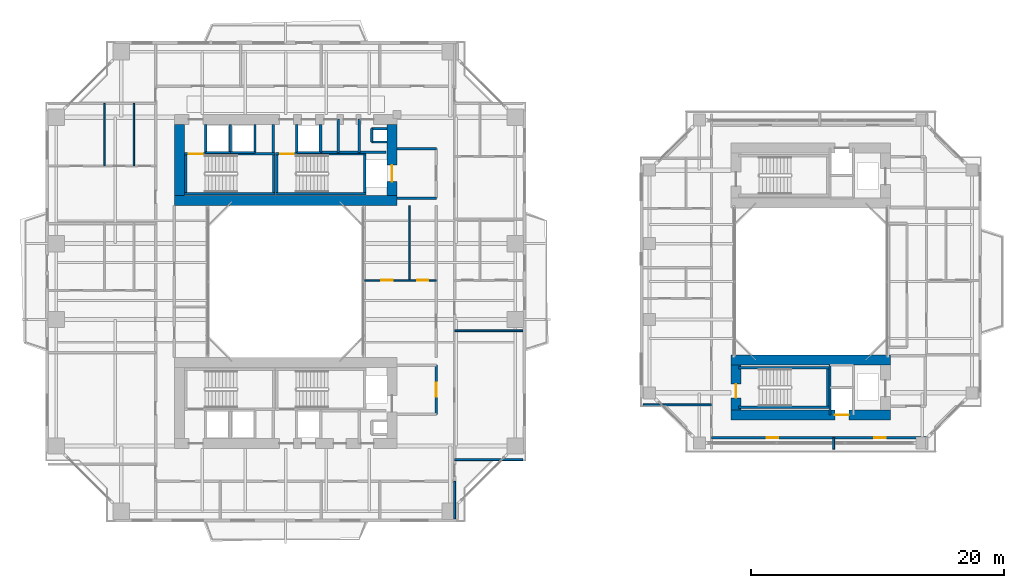
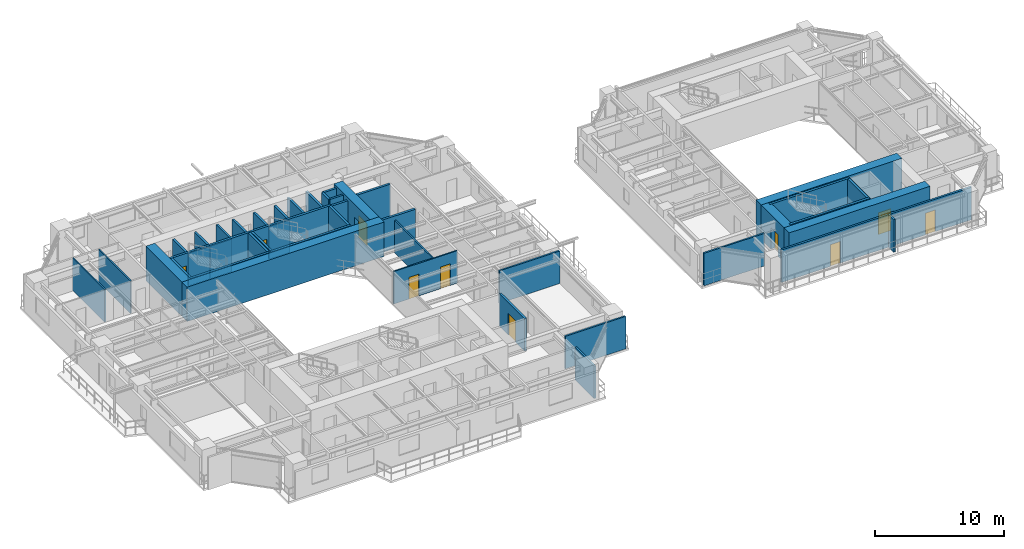
# One storey, part 14 of 23: 46 walls, 10 doors, 10 openings.
"""IFC4 building model written with IfcOpenShell, lengths in metres."""

from ifc_helpers import new_model, si_unit, direction, frame, frame_2d, origin, place, context, subcontext, project, spatial, rectangle, extrude, source, transform, mapped, material, layer, layer_set, type_object, element, fill, save


model = new_model("IFC4")

# Units and contexts
model_context = context("Model", 3, precision=1e-05, world=origin(), true_north=direction((0.0, 1.0)))
body_context = subcontext(model_context, "Body", "Model", "MODEL_VIEW")
ifc_project = project(units=[si_unit("LENGTHUNIT", "METRE"), si_unit("AREAUNIT", "SQUARE_METRE"), si_unit("VOLUMEUNIT", "CUBIC_METRE"), si_unit("PLANEANGLEUNIT", "RADIAN"), si_unit("MASSUNIT", "GRAM", prefix="KILO"), si_unit("THERMODYNAMICTEMPERATUREUNIT", "KELVIN"), si_unit("POWERUNIT", "WATT")], contexts=[model_context])

# Site, building, storey
site_placement = place(None, origin())
site = spatial("IfcSite", under=ifc_project, at=site_placement, CompositionType="ELEMENT")
building_placement = place(site_placement, origin())
building = spatial("IfcBuilding", under=site, at=building_placement, Name="Qiaomeng Ring Towers", CompositionType="ELEMENT")
storey_placement = place(building_placement, frame((0.0, 0.0, 39.25)))
storey = spatial("IfcBuildingStorey", under=building, at=storey_placement, Name="L10", CompositionType="ELEMENT", Elevation=39.25)

# Walls
ifc_material_1 = material(Name="Autoclaved aerated concrete block", Category="concrete")
ifc_layer_1 = layer(ifc_material_1, 0.199951171875, Name="Autoclaved aerated concrete block")
ifc_layer_set_1 = layer_set([ifc_layer_1], Name="Autoclaved aerated concrete block")
wall_type_1 = type_object("IfcWallType", Name="ARC-WL-PW1", PredefinedType="PARTITIONING", material=ifc_layer_set_1)
for number, where, z_axis, x_axis, name in (
    (1, (27.800048828125, 29.60009765625, 0.0), (0.0, 0.0, 1.0), (1.0, 0.0, 0.0), "L10 Interior Wall PW1"),
    (2, (27.800048828125, 33.5, 0.0), (0.0, 0.0, 1.0), (1.0, 0.0, 0.0), "L10 Interior Wall PW1"),
):
    element("IfcWall", number, at=place(storey_placement, frame(where, z_axis=z_axis, x_axis=x_axis)), inside=storey, type_object=wall_type_1, Name=name, PredefinedType="PARTITIONING", context=body_context, shape_type="SweptSolid", body=[
        extrude(rectangle(XDim=3.099853515625, YDim=0.199951171875, at=frame_2d((1.5498046875, 0.0))), origin(), (0.0, 0.0, 1.0), 3.070068359375),
    ])

# Wall, opening, door
wall_1_placement = place(storey_placement, frame((30.89990234375, 12.5, 0.0), z_axis=(0.0, 0.0, 1.0), x_axis=(0.0, 1.0, 0.0)))
wall_1 = element("IfcWall", 3, at=wall_1_placement, inside=storey, type_object=wall_type_1, Name="L10 Interior Wall PW1", PredefinedType="PARTITIONING", context=body_context, shape_type="SweptSolid", body=[
    extrude(rectangle(XDim=3.89990234375, YDim=0.199951171875, at=frame_2d((1.949951171875, 0.0))), origin(), (0.0, 0.0, 1.0), 3.070068359375),
])
opening_1_placement = place(wall_1_placement, frame((1.39990234375, 0.0, 0.0)))
opening_1 = element("IfcOpeningElement", 4, at=opening_1_placement, cuts=wall_1, Name="Opening FD3", PredefinedType="OPENING", context=body_context, shape_type="SweptSolid", body=[
    extrude(rectangle(XDim=1.10009765625, YDim=2.050048828125, at=frame_2d((0.550048828125, 1.02490234375))), frame((0.0, 0.10986328125, 0.0), z_axis=(0.0, -1.0, 0.0), x_axis=(1.0, 0.0, 0.0)), (0.0, 0.0, 1.0), 0.219970703125),
])
ifc_material_2 = material(Name="Galvanised steel", Category="steel")
door_type_1 = type_object("IfcDoorType", Name="ARC-DR-FD3", OperationType="NOTDEFINED", PredefinedType="DOOR", material=ifc_material_2)
shared_shape_1 = source(origin(), body_context, "Body", "SweptSolid", [
    extrude(rectangle(XDim=1.10009765625, YDim=2.050048828125, at=frame_2d((0.550048828125, 1.02490234375))), frame((0.0, 0.02490234375, 0.0), z_axis=(0.0, -1.0, 0.0), x_axis=(1.0, 0.0, 0.0)), (0.0, 0.0, 1.0), 0.050048828125),
])
door_1_placement = place(opening_1_placement, origin())
door_1 = element("IfcDoor", 5, at=door_1_placement, inside=storey, type_object=door_type_1, Name="L10 South FF Lobby Door", OperationType="SINGLE_SWING_RIGHT", OverallHeight=2.050048828125, OverallWidth=1.10009765625, PredefinedType="DOOR", context=body_context, shape_type="MappedRepresentation", body=[
    mapped(shared_shape_1, transform((0.0, 0.0, 0.0), x_axis=(1.0, 0.0, 0.0), y_axis=(0.0, 1.0, 0.0), z_axis=(0.0, 0.0, 1.0), scale=1.0)),
])
fill(opening_1, door_1)

# Walls
for number, where, z_axis, x_axis, name in (
    (6, (12.679931640625, 33.18994140625, 0.0), (0.0, 0.0, 1.0), (0.0, 1.0, 0.0), "L10 Interior Wall PW1"),
    (7, (18.0, 33.18994140625, 0.0), (0.0, 0.0, 1.0), (0.0, 1.0, 0.0), "L10 Interior Wall PW1"),
    (8, (19.8798828125, 33.18994140625, 0.0), (0.0, 0.0, 1.0), (0.0, 1.0, 0.0), "L10 Interior Wall PW1"),
):
    element("IfcWall", number, at=place(storey_placement, frame(where, z_axis=z_axis, x_axis=x_axis)), inside=storey, type_object=wall_type_1, Name=name, PredefinedType="PARTITIONING", context=body_context, shape_type="SweptSolid", body=[
        extrude(rectangle(XDim=2.2099609375, YDim=0.199951171875, at=frame_2d((1.10498046875, 0.0))), origin(), (0.0, 0.0, 1.0), 3.070068359375),
    ])
wall_2_placement = place(storey_placement, frame((24.820068359375, 33.199951171875, 0.0), z_axis=(0.0, 0.0, 1.0), x_axis=(0.0, 1.0, 0.0)))
element("IfcWall", 9, at=wall_2_placement, inside=storey, type_object=wall_type_1, Name="L10 Interior Wall PW1", PredefinedType="PARTITIONING", context=body_context, shape_type="SweptSolid", body=[
    extrude(rectangle(XDim=2.650146484375, YDim=0.199951171875, at=frame_2d((1.3251953125, 0.0))), origin(), (0.0, 0.0, 1.0), 3.070068359375),
])
wall_3_placement = place(storey_placement, frame((21.75, 33.199951171875, 0.0), z_axis=(0.0, 0.0, 1.0), x_axis=(0.0, 1.0, 0.0)))
element("IfcWall", 10, at=wall_3_placement, inside=storey, type_object=wall_type_1, Name="L10 Interior Wall PW1", PredefinedType="PARTITIONING", context=body_context, shape_type="SweptSolid", body=[
    extrude(rectangle(XDim=2.199951171875, YDim=0.199951171875, at=frame_2d((1.10009765625, 0.0))), origin(), (0.0, 0.0, 1.0), 3.070068359375),
])
wall_4_placement = place(storey_placement, frame((23.169921875, 33.199951171875, 0.0), z_axis=(0.0, 0.0, 1.0), x_axis=(0.0, 1.0, 0.0)))
element("IfcWall", 11, at=wall_4_placement, inside=storey, type_object=wall_type_1, Name="L10 Interior Wall PW1", PredefinedType="PARTITIONING", context=body_context, shape_type="SweptSolid", body=[
    extrude(rectangle(XDim=2.650146484375, YDim=0.199951171875, at=frame_2d((1.3251953125, 0.0))), origin(), (0.0, 0.0, 1.0), 3.070068359375),
])
wall_5_placement = place(storey_placement, frame((21.75, 33.199951171875, 0.0), z_axis=(0.0, 0.0, 1.0), x_axis=(1.0, 0.0, 0.0)))
element("IfcWall", 12, at=wall_5_placement, inside=storey, type_object=wall_type_1, Name="L10 Interior Wall PW1", PredefinedType="PARTITIONING", context=body_context, shape_type="SweptSolid", body=[
    extrude(rectangle(XDim=5.169921875, YDim=0.199951171875, at=frame_2d((2.5849609375, 0.0))), origin(), (0.0, 0.0, 1.0), 3.070068359375),
])

# Wall, openings, doors
ifc_layer_2 = layer(ifc_material_1, 0.179931640625, Name="Autoclaved aerated concrete block")
ifc_layer_set_2 = layer_set([ifc_layer_2], Name="Autoclaved aerated concrete block")
wall_type_2 = type_object("IfcWallType", Name="ARC-WL-PW2", PredefinedType="PARTITIONING", material=ifc_layer_set_2)
wall_6_placement = place(storey_placement, frame((52.64990234375, 10.64990234375, 0.0), z_axis=(0.0, 0.0, 1.0), x_axis=(1.0, 0.0, 0.0)))
wall_6 = element("IfcWall", 13, at=wall_6_placement, inside=storey, type_object=wall_type_2, Name="L10 Interior Wall PW2", PredefinedType="PARTITIONING", context=body_context, shape_type="SweptSolid", body=[
    extrude(rectangle(XDim=17.0, YDim=0.179931640625, at=frame_2d((8.5, 0.0))), origin(), (0.0, 0.0, 1.0), 3.070068359375),
])
opening_2_placement = place(wall_6_placement, frame((4.375, 0.0, 0.0)))
opening_2 = element("IfcOpeningElement", 14, at=opening_2_placement, cuts=wall_6, Name="Opening ID1", PredefinedType="OPENING", context=body_context, shape_type="SweptSolid", body=[
    extrude(rectangle(XDim=0.89990234375, YDim=2.050048828125, at=frame_2d((0.449951171875, 1.02490234375))), frame((0.0, 0.099853515625, 0.0), z_axis=(0.0, -1.0, 0.0), x_axis=(1.0, 0.0, 0.0)), (0.0, 0.0, 1.0), 0.199951171875),
])
opening_3_placement = place(wall_6_placement, frame((12.875, 0.0, 0.0)))
opening_3 = element("IfcOpeningElement", 15, at=opening_3_placement, cuts=wall_6, Name="Opening ID1", PredefinedType="OPENING", context=body_context, shape_type="SweptSolid", body=[
    extrude(rectangle(XDim=0.89990234375, YDim=2.050048828125, at=frame_2d((0.449951171875, 1.02490234375))), frame((0.0, 0.099853515625, 0.0), z_axis=(0.0, -1.0, 0.0), x_axis=(1.0, 0.0, 0.0)), (0.0, 0.0, 1.0), 0.199951171875),
])
ifc_material_3 = material(Name="Engineered oak timber", Category="wood")
door_type_2 = type_object("IfcDoorType", Name="ARC-DR-ID1", OperationType="NOTDEFINED", PredefinedType="DOOR", material=ifc_material_3)
shared_shape_2 = source(origin(), body_context, "Body", "SweptSolid", [
    extrude(rectangle(XDim=0.89990234375, YDim=2.050048828125, at=frame_2d((0.449951171875, 1.02490234375))), frame((0.0, 0.02490234375, 0.0), z_axis=(0.0, -1.0, 0.0), x_axis=(1.0, 0.0, 0.0)), (0.0, 0.0, 1.0), 0.050048828125),
])
door_2_placement = place(opening_2_placement, origin())
door_2 = element("IfcDoor", 16, at=door_2_placement, inside=storey, type_object=door_type_2, Name="L10 Door ID1", OperationType="SINGLE_SWING_LEFT", OverallHeight=2.050048828125, OverallWidth=0.89990234375, PredefinedType="DOOR", context=body_context, shape_type="MappedRepresentation", body=[
    mapped(shared_shape_2, transform((0.0, 0.0, 0.0), x_axis=(1.0, 0.0, 0.0), y_axis=(0.0, 1.0, 0.0), z_axis=(0.0, 0.0, 1.0), scale=1.0)),
])
fill(opening_2, door_2)
door_3_placement = place(opening_3_placement, origin())
door_3 = element("IfcDoor", 17, at=door_3_placement, inside=storey, type_object=door_type_2, Name="L10 Door ID1", OperationType="SINGLE_SWING_RIGHT", OverallHeight=2.050048828125, OverallWidth=0.89990234375, PredefinedType="DOOR", context=body_context, shape_type="MappedRepresentation", body=[
    mapped(shared_shape_2, transform((0.0, 0.0, 0.0), x_axis=(1.0, 0.0, 0.0), y_axis=(0.0, 1.0, 0.0), z_axis=(0.0, 0.0, 1.0), scale=1.0)),
])
fill(opening_3, door_3)

# Walls
ifc_material_4 = material(Name="Gypsum fireboard steel-stud partition", Category="steel")
ifc_layer_3 = layer(ifc_material_4, 0.14990234375, Name="Gypsum fireboard steel-stud partition")
ifc_layer_set_3 = layer_set([ifc_layer_3], Name="Gypsum fireboard steel-stud partition")
wall_type_3 = type_object("IfcWallType", Name="ARC-WL-PW3", PredefinedType="PARTITIONING", material=ifc_layer_set_3)
wall_7_placement = place(storey_placement, frame((32.35009765625, 4.25, 0.0), z_axis=(0.0, 0.0, 1.0), x_axis=(0.0, 1.0, 0.0)))
element("IfcWall", 18, at=wall_7_placement, inside=storey, type_object=wall_type_3, Name="L10 Interior Wall PW3", PredefinedType="PARTITIONING", context=body_context, shape_type="SweptSolid", body=[
    extrude(rectangle(XDim=2.9599609375, YDim=0.14990234375, at=frame_2d((1.47998046875, 0.0))), origin(), (0.0, 0.0, 1.0), 3.070068359375),
])
for number, where, z_axis, x_axis, name in (
    (19, (32.35009765625, 8.919921875, 0.0), (0.0, 0.0, 1.0), (1.0, 0.0, 0.0), "L10 Interior Wall PW3"),
    (20, (32.35009765625, 19.110107421875, 0.0), (0.0, 0.0, 1.0), (1.0, 0.0, 0.0), "L10 Interior Wall PW3"),
    (21, (47.25, 13.25, 0.0), (0.0, 0.0, 1.0), (1.0, 0.0, 0.0), "L10 Interior Wall PW3"),
):
    element("IfcWall", number, at=place(storey_placement, frame(where, z_axis=z_axis, x_axis=x_axis)), inside=storey, type_object=wall_type_3, Name=name, PredefinedType="PARTITIONING", context=body_context, shape_type="SweptSolid", body=[
        extrude(rectangle(XDim=5.39990234375, YDim=0.14990234375, at=frame_2d((2.699951171875, 0.0))), origin(), (0.0, 0.0, 1.0), 3.070068359375),
    ])
wall_8_placement = place(storey_placement, frame((62.300048828125, 9.75, 0.0), z_axis=(0.0, 0.0, 1.0), x_axis=(0.0, 1.0, 0.0)))
element("IfcWall", 22, at=wall_8_placement, inside=storey, type_object=wall_type_3, Name="L10 Interior Wall PW3", PredefinedType="PARTITIONING", context=body_context, shape_type="SweptSolid", body=[
    extrude(rectangle(XDim=0.89990234375, YDim=0.14990234375, at=frame_2d((0.449951171875, 0.0))), origin(), (0.0, 0.0, 1.0), 3.070068359375),
])
ifc_material_5 = material(Name="Moisture-resistant gypsum steel-stud partition", Category="steel")
ifc_layer_4 = layer(ifc_material_5, 0.1201171875, Name="Moisture-resistant gypsum steel-stud partition")
ifc_layer_set_4 = layer_set([ifc_layer_4], Name="Moisture-resistant gypsum steel-stud partition")
wall_type_4 = type_object("IfcWallType", Name="ARC-WL-PW4", PredefinedType="PLUMBINGWALL", material=ifc_layer_set_4)
for number, where, z_axis, x_axis, name in (
    (23, (4.679931640625, 32.139892578125, 0.0), (0.0, 0.0, 1.0), (0.0, 1.0, 0.0), "L10 Interior Wall PW4"),
    (24, (7.0, 32.139892578125, 0.0), (0.0, 0.0, 1.0), (0.0, 1.0, 0.0), "L10 Interior Wall PW4"),
):
    element("IfcWall", number, at=place(storey_placement, frame(where, z_axis=z_axis, x_axis=x_axis)), inside=storey, type_object=wall_type_4, Name=name, PredefinedType="PLUMBINGWALL", context=body_context, shape_type="SweptSolid", body=[
        extrude(rectangle(XDim=4.940185546875, YDim=0.1201171875, at=frame_2d((2.47021484375, 0.0))), origin(), (0.0, 0.0, 1.0), 3.070068359375),
    ])

# Wall, openings, doors
wall_9_placement = place(storey_placement, frame((25.219970703125, 23.10009765625, 0.0), z_axis=(0.0, 0.0, 1.0), x_axis=(1.0, 0.0, 0.0)))
wall_9 = element("IfcWall", 25, at=wall_9_placement, inside=storey, type_object=wall_type_4, Name="L10 Interior Wall PW4", PredefinedType="PLUMBINGWALL", context=body_context, shape_type="SweptSolid", body=[
    extrude(rectangle(XDim=5.679931640625, YDim=0.1201171875, at=frame_2d((2.83984375, 0.0))), origin(), (0.0, 0.0, 1.0), 3.070068359375),
])
opening_4_placement = place(wall_9_placement, frame((1.35009765625, 0.0, 0.0)))
opening_4 = element("IfcOpeningElement", 26, at=opening_4_placement, cuts=wall_9, Name="Opening ID1", PredefinedType="OPENING", context=body_context, shape_type="SweptSolid", body=[
    extrude(rectangle(XDim=0.89990234375, YDim=2.050048828125, at=frame_2d((0.449951171875, 1.02490234375))), frame((0.0, 0.070068359375, 0.0), z_axis=(0.0, -1.0, 0.0), x_axis=(1.0, 0.0, 0.0)), (0.0, 0.0, 1.0), 0.14013671875),
])
opening_5_placement = place(wall_9_placement, frame((4.195068359375, 0.0, 0.0)))
opening_5 = element("IfcOpeningElement", 27, at=opening_5_placement, cuts=wall_9, Name="Opening ID2", PredefinedType="OPENING", context=body_context, shape_type="SweptSolid", body=[
    extrude(rectangle(XDim=0.85009765625, YDim=2.050048828125, at=frame_2d((0.425048828125, 1.02490234375))), frame((0.0, 0.070068359375, 0.0), z_axis=(0.0, -1.0, 0.0), x_axis=(1.0, 0.0, 0.0)), (0.0, 0.0, 1.0), 0.14013671875),
])
ifc_material_6 = material(Name="Moisture-resistant engineered timber", Category="wood")
door_type_3 = type_object("IfcDoorType", Name="ARC-DR-ID2", OperationType="NOTDEFINED", PredefinedType="DOOR", material=ifc_material_6)
shared_shape_3 = source(origin(), body_context, "Body", "SweptSolid", [
    extrude(rectangle(XDim=0.85009765625, YDim=2.050048828125, at=frame_2d((0.425048828125, 1.02490234375))), frame((0.0, 0.02490234375, 0.0), z_axis=(0.0, -1.0, 0.0), x_axis=(1.0, 0.0, 0.0)), (0.0, 0.0, 1.0), 0.050048828125),
])
door_4_placement = place(opening_5_placement, origin())
door_4 = element("IfcDoor", 28, at=door_4_placement, inside=storey, type_object=door_type_3, Name="L10 Door ID2", OperationType="SINGLE_SWING_LEFT", OverallHeight=2.050048828125, OverallWidth=0.85009765625, PredefinedType="DOOR", context=body_context, shape_type="MappedRepresentation", body=[
    mapped(shared_shape_3, transform((0.0, 0.0, 0.0), x_axis=(1.0, 0.0, 0.0), y_axis=(0.0, 1.0, 0.0), z_axis=(0.0, 0.0, 1.0), scale=1.0)),
])
fill(opening_5, door_4)
door_5_placement = place(opening_4_placement, origin())
door_5 = element("IfcDoor", 29, at=door_5_placement, inside=storey, type_object=door_type_2, Name="L10 Door ID1", OperationType="SINGLE_SWING_RIGHT", OverallHeight=2.050048828125, OverallWidth=0.89990234375, PredefinedType="DOOR", context=body_context, shape_type="MappedRepresentation", body=[
    mapped(shared_shape_2, transform((0.0, 0.0, 0.0), x_axis=(1.0, 0.0, 0.0), y_axis=(0.0, 1.0, 0.0), z_axis=(0.0, 0.0, 1.0), scale=1.0)),
])
fill(opening_4, door_5)

# Walls
wall_10_placement = place(storey_placement, frame((28.800048828125, 23.10009765625, 0.0), z_axis=(0.0, 0.0, 1.0), x_axis=(0.0, 1.0, 0.0)))
element("IfcWall", 30, at=wall_10_placement, inside=storey, type_object=wall_type_4, Name="L10 Interior Wall PW4", PredefinedType="PLUMBINGWALL", context=body_context, shape_type="SweptSolid", body=[
    extrude(rectangle(XDim=5.89990234375, YDim=0.1201171875, at=frame_2d((2.949951171875, 0.0))), origin(), (0.0, 0.0, 1.0), 3.070068359375),
])
ifc_material_7 = material(Name="Concrete C40", Category="concrete")
ifc_layer_5 = layer(ifc_material_7, 0.199951171875, Name="Concrete C40")
ifc_layer_set_5 = layer_set([ifc_layer_5], Name="Concrete C40")
wall_type_5 = type_object("IfcWallType", Name="STR-WL-STSHAFT", PredefinedType="SHEAR", material=ifc_layer_set_5)
wall_11_placement = place(storey_placement, frame((12.679931640625, 33.199951171875, 0.0), z_axis=(0.0, 0.0, 1.0), x_axis=(1.0, 0.0, 0.0)))
element("IfcWall", 31, at=wall_11_placement, inside=storey, type_object=wall_type_5, Name="L10 Lift LP5 Shaft Back Wall", PredefinedType="SHEAR", context=body_context, shape_type="SweptSolid", body=[
    extrude(rectangle(XDim=1.940185546875, YDim=0.179931640625, at=frame_2d((0.97021484375, 0.0))), origin(), (0.0, 0.0, 1.0), 3.070068359375),
])
wall_12_placement = place(storey_placement, frame((14.6201171875, 33.199951171875, 0.0), z_axis=(0.0, 0.0, 1.0), x_axis=(0.0, 1.0, 0.0)))
element("IfcWall", 32, at=wall_12_placement, inside=storey, type_object=wall_type_5, Name="L10 Lift LP5-LP3 Shaft Divider Wall", PredefinedType="SHEAR", context=body_context, shape_type="SweptSolid", body=[
    extrude(rectangle(XDim=2.199951171875, YDim=0.179931640625, at=frame_2d((1.10009765625, 0.0))), origin(), (0.0, 0.0, 1.0), 3.070068359375),
])
wall_13_placement = place(storey_placement, frame((25.800048828125, 34.02001953125, 0.0), z_axis=(0.0, 0.0, 1.0), x_axis=(0.0, 1.0, 0.0)))
element("IfcWall", 33, at=wall_13_placement, inside=storey, type_object=wall_type_5, Name="L10 Riser RSR1 West Shaft Wall N", PredefinedType="SHEAR", context=body_context, shape_type="SweptSolid", body=[
    extrude(rectangle(XDim=1.06005859375, YDim=0.179931640625, at=frame_2d((0.530029296875, 0.0))), origin(), (0.0, 0.0, 1.0), 3.070068359375),
])
for number, where, z_axis, x_axis, name in (
    (34, (25.800048828125, 35.080078125, 0.0), (0.0, 0.0, 1.0), (1.0, 0.0, 0.0), "L10 Riser RSR1 North Shaft Wall N"),
    (35, (25.800048828125, 34.02001953125, 0.0), (0.0, 0.0, 1.0), (1.0, 0.0, 0.0), "L10 Riser RSR1 South Shaft Wall N"),
):
    element("IfcWall", number, at=place(storey_placement, frame(where, z_axis=z_axis, x_axis=x_axis)), inside=storey, type_object=wall_type_5, Name=name, PredefinedType="SHEAR", context=body_context, shape_type="SweptSolid", body=[
        extrude(rectangle(XDim=1.199951171875, YDim=0.179931640625, at=frame_2d((0.60009765625, 0.0))), origin(), (0.0, 0.0, 1.0), 3.070068359375),
    ])
wall_14_placement = place(storey_placement, frame((14.6201171875, 33.199951171875, 0.0), z_axis=(0.0, 0.0, 1.0), x_axis=(1.0, 0.0, 0.0)))
element("IfcWall", 36, at=wall_14_placement, inside=storey, type_object=wall_type_5, Name="L10 Lift LP3 Shaft Back Wall", PredefinedType="SHEAR", context=body_context, shape_type="SweptSolid", body=[
    extrude(rectangle(XDim=1.9599609375, YDim=0.179931640625, at=frame_2d((0.97998046875, 0.0))), origin(), (0.0, 0.0, 1.0), 3.070068359375),
])
wall_15_placement = place(storey_placement, frame((16.580078125, 33.199951171875, 0.0), z_axis=(0.0, 0.0, 1.0), x_axis=(0.0, 1.0, 0.0)))
element("IfcWall", 37, at=wall_15_placement, inside=storey, type_object=wall_type_5, Name="L10 Lift LP3 East Shaft Wall", PredefinedType="SHEAR", context=body_context, shape_type="SweptSolid", body=[
    extrude(rectangle(XDim=2.199951171875, YDim=0.179931640625, at=frame_2d((1.10009765625, 0.0))), origin(), (0.0, 0.0, 1.0), 3.070068359375),
])
wall_16_placement = place(storey_placement, frame((19.8798828125, 33.199951171875, 0.0), z_axis=(0.0, 0.0, 1.0), x_axis=(1.0, 0.0, 0.0)))
element("IfcWall", 38, at=wall_16_placement, inside=storey, type_object=wall_type_5, Name="L10 Lift LP1 Shaft Back Wall", PredefinedType="SHEAR", context=body_context, shape_type="SweptSolid", body=[
    extrude(rectangle(XDim=1.8701171875, YDim=0.179931640625, at=frame_2d((0.93505859375, 0.0))), origin(), (0.0, 0.0, 1.0), 3.070068359375),
])
wall_17_placement = place(storey_placement, frame((62.02001953125, 12.449951171875, 0.0), z_axis=(0.0, 0.0, 1.0), x_axis=(0.0, 1.0, 0.0)))
element("IfcWall", 39, at=wall_17_placement, inside=storey, type_object=wall_type_5, Name="L10 Companion Lift Shaft West Wall S", PredefinedType="SHEAR", context=body_context, shape_type="SweptSolid", body=[
    extrude(rectangle(XDim=3.949951171875, YDim=0.179931640625, at=frame_2d((1.97509765625, 0.0))), origin(), (0.0, 0.0, 1.0), 3.070068359375),
])
wall_18_placement = place(storey_placement, frame((11.0, 29.949951171875, 0.0), z_axis=(0.0, 0.0, 1.0), x_axis=(1.0, 0.0, 0.0)))
element("IfcWall", 40, at=wall_18_placement, inside=storey, type_object=wall_type_5, Name="L10 Stair ST1 South Shaft Shear Wall", PredefinedType="SHEAR", context=body_context, shape_type="SweptSolid", body=[
    extrude(rectangle(XDim=7.14990234375, YDim=0.199951171875, at=frame_2d((3.574951171875, 0.0))), origin(), (0.0, 0.0, 1.0), 3.25),
])

# Wall, opening, door
wall_19_placement = place(storey_placement, frame((11.0, 33.090087890625, 0.0), z_axis=(0.0, 0.0, 1.0), x_axis=(1.0, 0.0, 0.0)))
wall_19 = element("IfcWall", 41, at=wall_19_placement, inside=storey, type_object=wall_type_5, Name="L10 Stair ST1 North Shaft Shear Wall", PredefinedType="SHEAR", context=body_context, shape_type="SweptSolid", body=[
    extrude(rectangle(XDim=7.14990234375, YDim=0.199951171875, at=frame_2d((3.574951171875, 0.0))), origin(), (0.0, 0.0, 1.0), 3.25),
])
opening_6_placement = place(wall_19_placement, frame((0.35009765625, 0.0, 0.0)))
opening_6 = element("IfcOpeningElement", 42, at=opening_6_placement, cuts=wall_19, Name="Opening FD3", PredefinedType="OPENING", context=body_context, shape_type="SweptSolid", body=[
    extrude(rectangle(XDim=1.10009765625, YDim=2.050048828125, at=frame_2d((0.550048828125, 1.02490234375))), frame((0.0, 0.10986328125, 0.0), z_axis=(0.0, -1.0, 0.0), x_axis=(1.0, 0.0, 0.0)), (0.0, 0.0, 1.0), 0.219970703125),
])
door_6_placement = place(opening_6_placement, origin())
door_6 = element("IfcDoor", 43, at=door_6_placement, inside=storey, type_object=door_type_1, Name="L10 Stair ST1 Exit Door", OperationType="SINGLE_SWING_RIGHT", OverallHeight=2.050048828125, OverallWidth=1.10009765625, PredefinedType="DOOR", context=body_context, shape_type="MappedRepresentation", body=[
    mapped(shared_shape_1, transform((0.0, 0.0, 0.0), x_axis=(1.0, 0.0, 0.0), y_axis=(0.0, 1.0, 0.0), z_axis=(0.0, 0.0, 1.0), scale=1.0)),
])
fill(opening_6, door_6)

# Walls
for number, where, z_axis, x_axis, name in (
    (44, (11.10009765625, 30.050048828125, 0.0), (0.0, 0.0, 1.0), (0.0, 1.0, 0.0), "L10 Stair ST1 West Shaft Shear Wall"),
    (45, (18.050048828125, 30.050048828125, 0.0), (0.0, 0.0, 1.0), (0.0, 1.0, 0.0), "L10 Stair ST1 East Shaft Shear Wall"),
):
    element("IfcWall", number, at=place(storey_placement, frame(where, z_axis=z_axis, x_axis=x_axis)), inside=storey, type_object=wall_type_5, Name=name, PredefinedType="SHEAR", context=body_context, shape_type="SweptSolid", body=[
        extrude(rectangle(XDim=2.93994140625, YDim=0.199951171875, at=frame_2d((1.469970703125, 0.0))), origin(), (0.0, 0.0, 1.0), 3.25),
    ])
wall_20_placement = place(storey_placement, frame((18.199951171875, 29.949951171875, 0.0), z_axis=(0.0, 0.0, 1.0), x_axis=(1.0, 0.0, 0.0)))
element("IfcWall", 46, at=wall_20_placement, inside=storey, type_object=wall_type_5, Name="L10 Stair ST2 South Shaft Shear Wall", PredefinedType="SHEAR", context=body_context, shape_type="SweptSolid", body=[
    extrude(rectangle(XDim=7.150146484375, YDim=0.199951171875, at=frame_2d((3.5751953125, 0.0))), origin(), (0.0, 0.0, 1.0), 3.25),
])

# Wall, opening, door
wall_21_placement = place(storey_placement, frame((18.199951171875, 33.090087890625, 0.0), z_axis=(0.0, 0.0, 1.0), x_axis=(1.0, 0.0, 0.0)))
wall_21 = element("IfcWall", 47, at=wall_21_placement, inside=storey, type_object=wall_type_5, Name="L10 Stair ST2 North Shaft Shear Wall", PredefinedType="SHEAR", context=body_context, shape_type="SweptSolid", body=[
    extrude(rectangle(XDim=7.150146484375, YDim=0.199951171875, at=frame_2d((3.5751953125, 0.0))), origin(), (0.0, 0.0, 1.0), 3.25),
])
opening_7_placement = place(wall_21_placement, frame((0.35009765625, 0.0, 0.0)))
opening_7 = element("IfcOpeningElement", 48, at=opening_7_placement, cuts=wall_21, Name="Opening FD3", PredefinedType="OPENING", context=body_context, shape_type="SweptSolid", body=[
    extrude(rectangle(XDim=1.10009765625, YDim=2.050048828125, at=frame_2d((0.550048828125, 1.02490234375))), frame((0.0, 0.10986328125, 0.0), z_axis=(0.0, -1.0, 0.0), x_axis=(1.0, 0.0, 0.0)), (0.0, 0.0, 1.0), 0.219970703125),
])
door_7_placement = place(opening_7_placement, origin())
door_7 = element("IfcDoor", 49, at=door_7_placement, inside=storey, type_object=door_type_1, Name="L10 Stair ST2 Exit Door", OperationType="SINGLE_SWING_RIGHT", OverallHeight=2.050048828125, OverallWidth=1.10009765625, PredefinedType="DOOR", context=body_context, shape_type="MappedRepresentation", body=[
    mapped(shared_shape_1, transform((0.0, 0.0, 0.0), x_axis=(1.0, 0.0, 0.0), y_axis=(0.0, 1.0, 0.0), z_axis=(0.0, 0.0, 1.0), scale=1.0)),
])
fill(opening_7, door_7)

# Walls
for number, where, z_axis, x_axis, name in (
    (50, (18.300048828125, 30.050048828125, 0.0), (0.0, 0.0, 1.0), (0.0, 1.0, 0.0), "L10 Stair ST2 West Shaft Shear Wall"),
    (51, (25.25, 30.050048828125, 0.0), (0.0, 0.0, 1.0), (0.0, 1.0, 0.0), "L10 Stair ST2 East Shaft Shear Wall"),
):
    element("IfcWall", number, at=place(storey_placement, frame(where, z_axis=z_axis, x_axis=x_axis)), inside=storey, type_object=wall_type_5, Name=name, PredefinedType="SHEAR", context=body_context, shape_type="SweptSolid", body=[
        extrude(rectangle(XDim=2.93994140625, YDim=0.199951171875, at=frame_2d((1.469970703125, 0.0))), origin(), (0.0, 0.0, 1.0), 3.25),
    ])
for number, where, z_axis, x_axis, name in (
    (52, (54.800048828125, 13.06005859375, 0.0), (0.0, 0.0, 1.0), (1.0, 0.0, 0.0), "L10 Stair ST6 South Shaft Shear Wall"),
    (53, (54.800048828125, 16.199951171875, 0.0), (0.0, 0.0, 1.0), (1.0, 0.0, 0.0), "L10 Stair ST6 North Shaft Shear Wall"),
):
    element("IfcWall", number, at=place(storey_placement, frame(where, z_axis=z_axis, x_axis=x_axis)), inside=storey, type_object=wall_type_5, Name=name, PredefinedType="SHEAR", context=body_context, shape_type="SweptSolid", body=[
        extrude(rectangle(XDim=7.14990234375, YDim=0.199951171875, at=frame_2d((3.574951171875, 0.0))), origin(), (0.0, 0.0, 1.0), 3.25),
    ])
wall_22_placement = place(storey_placement, frame((61.85009765625, 13.159912109375, 0.0), z_axis=(0.0, 0.0, 1.0), x_axis=(0.0, 1.0, 0.0)))
element("IfcWall", 54, at=wall_22_placement, inside=storey, type_object=wall_type_5, Name="L10 Stair ST6 East Shaft Shear Wall", PredefinedType="SHEAR", context=body_context, shape_type="SweptSolid", body=[
    extrude(rectangle(XDim=2.940185546875, YDim=0.199951171875, at=frame_2d((1.47021484375, 0.0))), origin(), (0.0, 0.0, 1.0), 3.25),
])
ifc_material_8 = material(Name="Concrete C60", Category="concrete")
ifc_layer_6 = layer(ifc_material_8, 0.800048828125, Name="Concrete C60")
ifc_layer_set_6 = layer_set([ifc_layer_6], Name="Concrete C60")
wall_type_6 = type_object("IfcWallType", Name="STR-WL-SW1", PredefinedType="SHEAR", material=ifc_layer_set_6)
wall_23_placement = place(storey_placement, frame((10.199951171875, 29.39990234375, 0.0), z_axis=(0.0, 0.0, 1.0), x_axis=(1.0, 0.0, 0.0)))
element("IfcWall", 55, at=wall_23_placement, inside=storey, type_object=wall_type_6, Name="L10 T1NC south core shear wall", PredefinedType="SHEAR", context=body_context, shape_type="SweptSolid", body=[
    extrude(rectangle(XDim=17.60009765625, YDim=0.800048828125, at=frame_2d((8.800048828125, 0.0))), origin(), (0.0, 0.0, 1.0), 3.25),
])
wall_24_placement = place(storey_placement, frame((10.60009765625, 29.800048828125, 0.0), z_axis=(0.0, 0.0, 1.0), x_axis=(0.0, 1.0, 0.0)))
element("IfcWall", 56, at=wall_24_placement, inside=storey, type_object=wall_type_6, Name="L10 T1NC west core shear wall", PredefinedType="SHEAR", context=body_context, shape_type="SweptSolid", body=[
    extrude(rectangle(XDim=5.599853515625, YDim=0.800048828125, at=frame_2d((2.7998046875, 0.0))), origin(), (0.0, 0.0, 1.0), 3.25),
])

# Wall, opening, door
wall_25_placement = place(storey_placement, frame((27.39990234375, 29.800048828125, 0.0), z_axis=(0.0, 0.0, 1.0), x_axis=(0.0, 1.0, 0.0)))
wall_25 = element("IfcWall", 57, at=wall_25_placement, inside=storey, type_object=wall_type_6, Name="L10 T1NC east core shear wall", PredefinedType="SHEAR", context=body_context, shape_type="SweptSolid", body=[
    extrude(rectangle(XDim=5.599853515625, YDim=0.800048828125, at=frame_2d((2.7998046875, 0.0))), origin(), (0.0, 0.0, 1.0), 3.25),
])
opening_8_placement = place(wall_25_placement, frame((1.10009765625, 0.0, 0.0)))
opening_8 = element("IfcOpeningElement", 58, at=opening_8_placement, cuts=wall_25, Name="Opening LD2", PredefinedType="OPENING", context=body_context, shape_type="SweptSolid", body=[
    extrude(rectangle(XDim=1.300048828125, YDim=2.050048828125, at=frame_2d((0.64990234375, 1.02490234375))), frame((0.0, 0.409912109375, 0.0), z_axis=(0.0, -1.0, 0.0), x_axis=(1.0, 0.0, 0.0)), (0.0, 0.0, 1.0), 0.820068359375),
])
ifc_material_9 = material(Name="Stainless steel 316", Category="steel")
door_type_4 = type_object("IfcDoorType", Name="ARC-DR-LD2", OperationType="NOTDEFINED", PredefinedType="DOOR", material=ifc_material_9)
shared_shape_4 = source(origin(), body_context, "Body", "SweptSolid", [
    extrude(rectangle(XDim=1.300048828125, YDim=2.050048828125, at=frame_2d((0.64990234375, 1.02490234375))), frame((0.0, 0.02490234375, 0.0), z_axis=(0.0, -1.0, 0.0), x_axis=(1.0, 0.0, 0.0)), (0.0, 0.0, 1.0), 0.050048828125),
])
door_8_placement = place(opening_8_placement, origin())
door_8 = element("IfcDoor", 59, at=door_8_placement, inside=storey, type_object=door_type_4, Name="L10 Firefighting Lift FL1 Landing Door", OperationType="SLIDING_TO_LEFT", OverallHeight=2.050048828125, OverallWidth=1.300048828125, PredefinedType="DOOR", context=body_context, shape_type="MappedRepresentation", body=[
    mapped(shared_shape_4, transform((0.0, 0.0, 0.0), x_axis=(1.0, 0.0, 0.0), y_axis=(0.0, 1.0, 0.0), z_axis=(0.0, 0.0, 1.0), scale=1.0)),
])
fill(opening_8, door_8)

wall_26_placement = place(storey_placement, frame((54.199951171875, 12.449951171875, 0.0), z_axis=(0.0, 0.0, 1.0), x_axis=(1.0, 0.0, 0.0)))
wall_26 = element("IfcWall", 60, at=wall_26_placement, inside=storey, type_object=wall_type_6, Name="L10 T2SC south core shear wall", PredefinedType="SHEAR", context=body_context, shape_type="SweptSolid", body=[
    extrude(rectangle(XDim=12.60009765625, YDim=0.800048828125, at=frame_2d((6.300048828125, 0.0))), origin(), (0.0, 0.0, 1.0), 3.25),
])
opening_9_placement = place(wall_26_placement, frame((8.199951171875, 0.0, 0.0)))
opening_9 = element("IfcOpeningElement", 61, at=opening_9_placement, cuts=wall_26, Name="Opening LD1", PredefinedType="OPENING", context=body_context, shape_type="SweptSolid", body=[
    extrude(rectangle(XDim=1.10009765625, YDim=2.050048828125, at=frame_2d((0.550048828125, 1.02490234375))), frame((0.0, 0.409912109375, 0.0), z_axis=(0.0, -1.0, 0.0), x_axis=(1.0, 0.0, 0.0)), (0.0, 0.0, 1.0), 0.820068359375),
])
door_type_5 = type_object("IfcDoorType", Name="ARC-DR-LD1", OperationType="NOTDEFINED", PredefinedType="DOOR", material=ifc_material_9)
door_9_placement = place(opening_9_placement, origin())
door_9 = element("IfcDoor", 62, at=door_9_placement, inside=storey, type_object=door_type_5, Name="L10 Companion Lift LP8 Landing Door", OperationType="SLIDING_TO_RIGHT", OverallHeight=2.050048828125, OverallWidth=1.10009765625, PredefinedType="DOOR", context=body_context, shape_type="MappedRepresentation", body=[
    mapped(shared_shape_1, transform((0.0, 0.0, 0.0), x_axis=(1.0, 0.0, 0.0), y_axis=(0.0, 1.0, 0.0), z_axis=(0.0, 0.0, 1.0), scale=1.0)),
])
fill(opening_9, door_9)

# Wall
wall_27_placement = place(storey_placement, frame((54.199951171875, 16.800048828125, 0.0), z_axis=(0.0, 0.0, 1.0), x_axis=(1.0, 0.0, 0.0)))
element("IfcWall", 63, at=wall_27_placement, inside=storey, type_object=wall_type_6, Name="L10 T2SC north core shear wall", PredefinedType="SHEAR", context=body_context, shape_type="SweptSolid", body=[
    extrude(rectangle(XDim=12.60009765625, YDim=0.800048828125, at=frame_2d((6.300048828125, 0.0))), origin(), (0.0, 0.0, 1.0), 3.25),
])

# Wall, opening, door
wall_28_placement = place(storey_placement, frame((54.60009765625, 12.85009765625, 0.0), z_axis=(0.0, 0.0, 1.0), x_axis=(0.0, 1.0, 0.0)))
wall_28 = element("IfcWall", 64, at=wall_28_placement, inside=storey, type_object=wall_type_6, Name="L10 T2SC west core shear wall", PredefinedType="SHEAR", context=body_context, shape_type="SweptSolid", body=[
    extrude(rectangle(XDim=3.5498046875, YDim=0.800048828125, at=frame_2d((1.77490234375, 0.0))), origin(), (0.0, 0.0, 1.0), 3.25),
])
opening_10_placement = place(wall_28_placement, frame((0.949951171875, 0.0, 0.0)))
opening_10 = element("IfcOpeningElement", 65, at=opening_10_placement, cuts=wall_28, Name="Opening FD3", PredefinedType="OPENING", context=body_context, shape_type="SweptSolid", body=[
    extrude(rectangle(XDim=1.10009765625, YDim=2.050048828125, at=frame_2d((0.550048828125, 1.02490234375))), frame((0.0, 0.409912109375, 0.0), z_axis=(0.0, -1.0, 0.0), x_axis=(1.0, 0.0, 0.0)), (0.0, 0.0, 1.0), 0.820068359375),
])
door_10_placement = place(opening_10_placement, origin())
door_10 = element("IfcDoor", 66, at=door_10_placement, inside=storey, type_object=door_type_1, Name="L10 Stair ST6 Exit Door", OperationType="SINGLE_SWING_RIGHT", OverallHeight=2.050048828125, OverallWidth=1.10009765625, PredefinedType="DOOR", context=body_context, shape_type="MappedRepresentation", body=[
    mapped(shared_shape_1, transform((0.0, 0.0, 0.0), x_axis=(1.0, 0.0, 0.0), y_axis=(0.0, 1.0, 0.0), z_axis=(0.0, 0.0, 1.0), scale=1.0)),
])
fill(opening_10, door_10)

save(model, "model.ifc")
